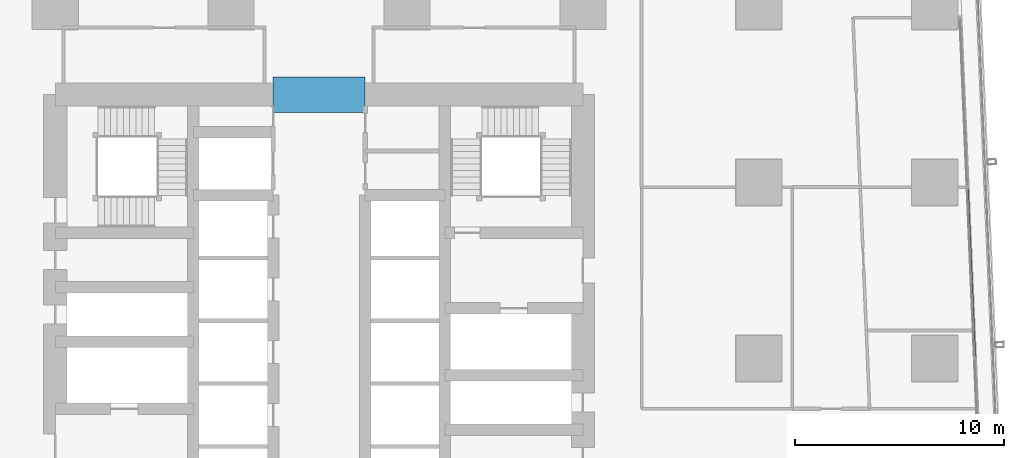
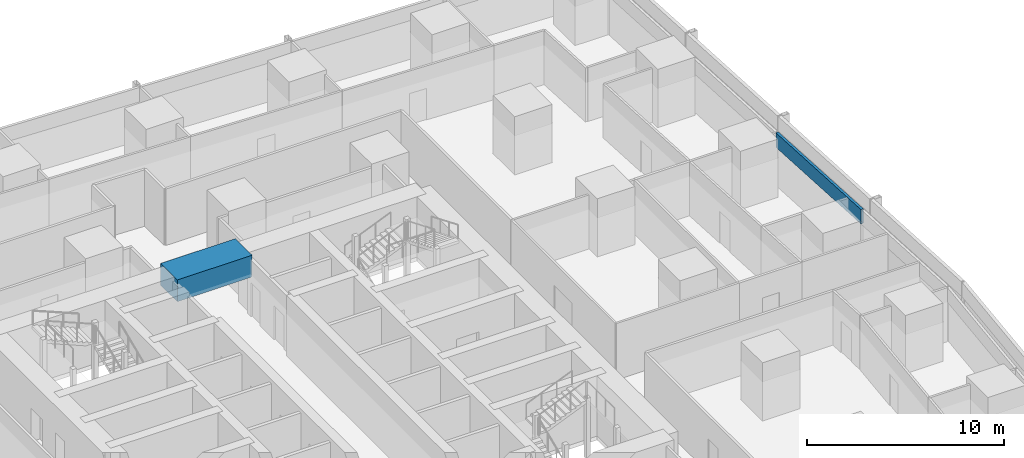
# One storey, part 19 of 44: 1 beam, 1 member, 1 element without a shape of its own.
"""IFC4 building model written with IfcOpenShell, lengths in metres."""

from ifc_helpers import new_model, si_unit, direction, frame, origin, origin_2d, place, context, subcontext, project, spatial, rectangle, hollow_rectangle, extrude, material, material_profile, profile_set, type_object, element, aggregate, save


model = new_model("IFC4")

# Units and contexts
model_context = context("Model", 3, precision=1e-05, world=origin(), true_north=direction((0.0, 1.0)))
body_context = subcontext(model_context, "Body", "Model", "MODEL_VIEW")
ifc_project = project(units=[si_unit("LENGTHUNIT", "METRE"), si_unit("AREAUNIT", "SQUARE_METRE"), si_unit("VOLUMEUNIT", "CUBIC_METRE"), si_unit("PLANEANGLEUNIT", "RADIAN"), si_unit("MASSUNIT", "GRAM", prefix="KILO")], contexts=[model_context])

# Site, building, storey
site_placement = place(None, origin())
site = spatial("IfcSite", under=ifc_project, at=site_placement, CompositionType="ELEMENT")
building_placement = place(site_placement, origin())
building = spatial("IfcBuilding", under=site, at=building_placement, Name="Rekha Terrace Tower", CompositionType="ELEMENT")
storey_placement = place(building_placement, frame((0.0, 0.0, 59.14990234375)))
storey = spatial("IfcBuildingStorey", under=building, at=storey_placement, Name="L14", CompositionType="ELEMENT", Elevation=59.14990234375)

# Curtain wall, member
ifc_material_1 = material(Name="Aluminium framing", Category="aluminium")
curtain_wall_type = type_object("IfcCurtainWallType", Name="CW1 double skin inner glazing", PredefinedType="USERDEFINED", material=ifc_material_1)
curtain_wall_placement = place(storey_placement, origin())
curtain_wall = element("IfcCurtainWall", 1, at=curtain_wall_placement, inside=storey, type_object=curtain_wall_type, Name="CW1 double skin inner glazing", ObjectType="DOUBLE SKIN INNER GLAZING", PredefinedType="USERDEFINED")
ifc_material_2 = material(Name="Insulated aluminium spandrel box", Category="aluminium")
ifc_material_profile_1 = material_profile(ifc_material_2, hollow_rectangle(XDim=0.14990234375, YDim=0.89990234375, WallThickness=0.0029296875, at=origin_2d()), Name="AL SPANDREL BOX 150x900")
ifc_profile_set_1 = profile_set([ifc_material_profile_1], Name="Insulated aluminium spandrel box")
member_type = type_object("IfcMemberType", Name="CW1 spandrel transom 150 x 900", PredefinedType="USERDEFINED", material=ifc_profile_set_1)
member_placement = place(storey_placement, frame((69.08935546875, 33.682861328125, 3.050048828125), z_axis=(-0.042698394831, 0.999088007674, 0.0), x_axis=(-0.999088007674, -0.042698394831, 0.0)))
member = element("IfcMember", 2, at=member_placement, type_object=member_type, Name="CW1 spandrel transom 2", ObjectType="TRANSOM", PredefinedType="USERDEFINED", context=body_context, shape_type="SweptSolid", body=[
    extrude(hollow_rectangle(XDim=0.14990234375, YDim=0.89990234375, WallThickness=0.0029296875, at=origin_2d()), origin(), (0.0, 0.0, 1.0), 8.073486328125),
])
aggregate(curtain_wall, [member])

# Beam
ifc_material_3 = material(Name="Concrete M70", Category="concrete")
ifc_material_profile_2 = material_profile(ifc_material_3, rectangle(XDim=1.699951171875, YDim=1.35009765625, at=origin_2d()), Name="RC 1700x1350")
ifc_profile_set_2 = profile_set([ifc_material_profile_2], Name="Concrete M70")
beam_type = type_object("IfcBeamType", Name="LB1A 1700x1350 diagonally reinforced coupling beam", PredefinedType="LINTEL", material=ifc_profile_set_2)
beam_placement = place(storey_placement, frame((35.60009765625, 46.199951171875, 3.0751953125), z_axis=(1.0, 0.0, 0.0), x_axis=(0.0, 1.0, 0.0)))
element("IfcBeam", 3, at=beam_placement, inside=storey, type_object=beam_type, Name="Coupling beam LB1A N L14", PredefinedType="LINTEL", context=body_context, shape_type="SweptSolid", body=[
    extrude(rectangle(XDim=1.699951171875, YDim=1.35009765625, at=origin_2d()), origin(), (0.0, 0.0, 1.0), 4.39990234375),
])

save(model, "model.ifc")
